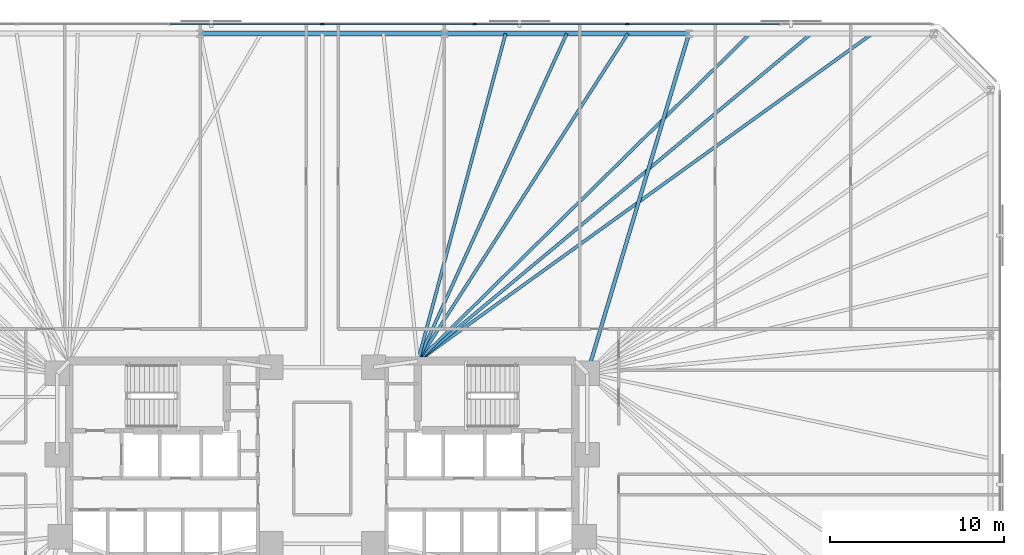
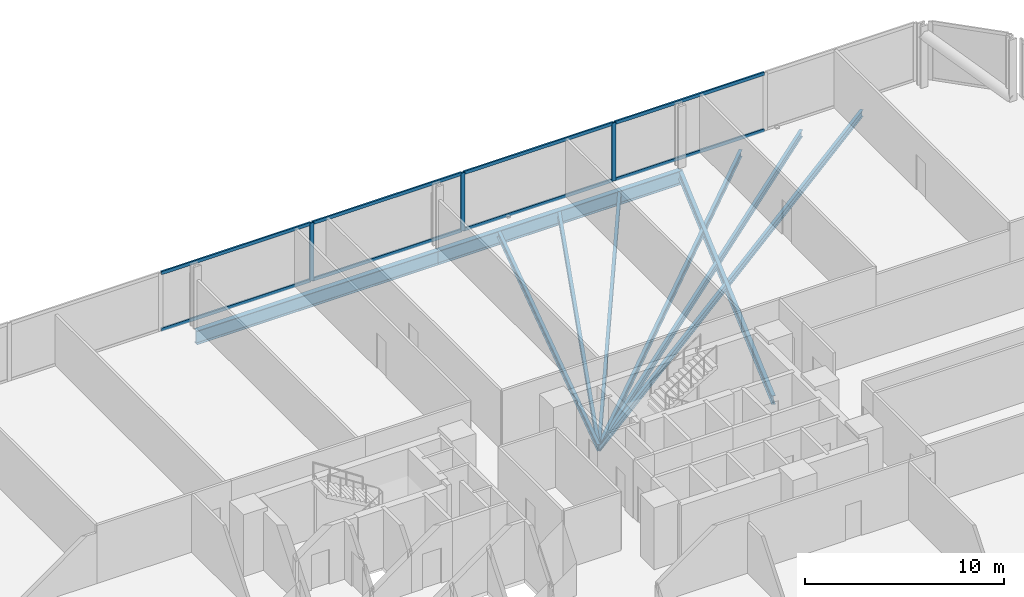
# One storey, part 9 of 17: 11 members, 9 beams, 1 element without a shape of its own.
"""IFC4 building model written with IfcOpenShell, lengths in metres."""

from ifc_helpers import new_model, si_unit, direction, frame, origin, origin_2d, place, context, subcontext, project, spatial, rectangle, i_section, extrude, material, material_profile, profile_set, type_object, element, aggregate, save


model = new_model("IFC4")

# Units and contexts
model_context = context("Model", 3, precision=1e-05, world=origin(), true_north=direction((0.0, 1.0)))
body_context = subcontext(model_context, "Body", "Model", "MODEL_VIEW")
ifc_project = project(units=[si_unit("LENGTHUNIT", "METRE"), si_unit("AREAUNIT", "SQUARE_METRE"), si_unit("VOLUMEUNIT", "CUBIC_METRE"), si_unit("PLANEANGLEUNIT", "RADIAN"), si_unit("MASSUNIT", "GRAM", prefix="KILO")], contexts=[model_context])

# Site, building, storey
site_placement = place(None, origin())
site = spatial("IfcSite", under=ifc_project, at=site_placement, CompositionType="ELEMENT")
building_placement = place(site_placement, origin())
building = spatial("IfcBuilding", under=site, at=building_placement, Name="Menara Jurai Vektor", CompositionType="ELEMENT")
storey_placement = place(building_placement, frame((0.0, 0.0, 37.0)))
storey = spatial("IfcBuildingStorey", under=building, at=storey_placement, Name="L08", CompositionType="ELEMENT", Elevation=37.0)

# Curtain wall, members
ifc_material_1 = material(Name="Anodised Pale Aluminium & Low-E Double Glazing", Category="aluminium")
curtain_wall_type = type_object("IfcCurtainWallType", Name="CW-BLK1", PredefinedType="NOTDEFINED", material=ifc_material_1)
curtain_wall_placement = place(storey_placement, origin())
curtain_wall = element("IfcCurtainWall", 1, at=curtain_wall_placement, inside=storey, type_object=curtain_wall_type, Name="Unitised Curtain Wall L08 F05", PredefinedType="NOTDEFINED")
ifc_material_2 = material(Name="Anodised Pale Aluminium Mullion", Category="aluminium")
ifc_material_profile_1 = material_profile(ifc_material_2, rectangle(XDim=0.094970703125, YDim=0.239990234375, at=origin_2d()), Name="ALU MUL 95x240")
ifc_profile_set_1 = profile_set([ifc_material_profile_1], Name="Anodised Pale Aluminium Mullion")
member_type_1 = type_object("IfcMemberType", Name="CW-BLK1-MUL", PredefinedType="MULLION", material=ifc_profile_set_1)
member_1_placement = place(storey_placement, frame((17.56005859375, 25.0, 0.0), z_axis=(0.0, 0.0, 1.0), x_axis=(0.0, -1.0, 0.0)))
member_1 = element("IfcMember", 2, at=member_1_placement, type_object=member_type_1, Name="CW-01 mullion 3", PredefinedType="MULLION", context=body_context, shape_type="SweptSolid", body=[
    extrude(rectangle(XDim=0.094970703125, YDim=0.239990234375, at=origin_2d()), origin(), (0.0, 0.0, 1.0), 3.574951171875),
])
member_2_placement = place(storey_placement, frame((8.780029296875, 25.0, 0.0), z_axis=(0.0, 0.0, 1.0), x_axis=(0.0, -1.0, 0.0)))
member_2 = element("IfcMember", 3, at=member_2_placement, type_object=member_type_1, Name="CW-01 mullion 4", PredefinedType="MULLION", context=body_context, shape_type="SweptSolid", body=[
    extrude(rectangle(XDim=0.094970703125, YDim=0.239990234375, at=origin_2d()), origin(), (0.0, 0.0, 1.0), 3.574951171875),
])
member_3_placement = place(storey_placement, frame((0.0, 25.0, 0.0), z_axis=(0.0, 0.0, 1.0), x_axis=(0.0, -1.0, 0.0)))
member_3 = element("IfcMember", 4, at=member_3_placement, type_object=member_type_1, Name="CW-01 mullion 5", PredefinedType="MULLION", context=body_context, shape_type="SweptSolid", body=[
    extrude(rectangle(XDim=0.094970703125, YDim=0.239990234375, at=origin_2d()), origin(), (0.0, 0.0, 1.0), 3.574951171875),
])
ifc_material_3 = material(Name="Anodised Pale Aluminium Transom", Category="aluminium")
ifc_material_profile_2 = material_profile(ifc_material_3, rectangle(XDim=0.094970703125, YDim=0.199951171875, at=origin_2d()), Name="ALU TRN 95x200")
ifc_profile_set_2 = profile_set([ifc_material_profile_2], Name="Anodised Pale Aluminium Transom")
member_type_2 = type_object("IfcMemberType", Name="CW-BLK1-TRN", PredefinedType="USERDEFINED", material=ifc_profile_set_2)
member_4_placement = place(storey_placement, frame((26.29248046875, 25.0, 0.047607421875), z_axis=(-1.0, 0.0, 0.0), x_axis=(0.0, -1.0, 0.0)))
member_4 = element("IfcMember", 5, at=member_4_placement, type_object=member_type_2, Name="CW-01 transom 2.1", ObjectType="TRANSOM", PredefinedType="USERDEFINED", context=body_context, shape_type="SweptSolid", body=[
    extrude(rectangle(XDim=0.094970703125, YDim=0.199951171875, at=origin_2d()), origin(), (0.0, 0.0, 1.0), 8.68505859375),
])
member_5_placement = place(storey_placement, frame((26.29248046875, 25.0, 3.527587890625), z_axis=(-1.0, 0.0, 0.0), x_axis=(0.0, -1.0, 0.0)))
member_5 = element("IfcMember", 6, at=member_5_placement, type_object=member_type_2, Name="CW-01 transom 2.2", ObjectType="TRANSOM", PredefinedType="USERDEFINED", context=body_context, shape_type="SweptSolid", body=[
    extrude(rectangle(XDim=0.094970703125, YDim=0.199951171875, at=origin_2d()), origin(), (0.0, 0.0, 1.0), 8.68505859375),
])
member_6_placement = place(storey_placement, frame((17.512451171875, 25.0, 0.047607421875), z_axis=(-1.0, 0.0, 0.0), x_axis=(0.0, -1.0, 0.0)))
member_6 = element("IfcMember", 7, at=member_6_placement, type_object=member_type_2, Name="CW-01 transom 3.1", ObjectType="TRANSOM", PredefinedType="USERDEFINED", context=body_context, shape_type="SweptSolid", body=[
    extrude(rectangle(XDim=0.094970703125, YDim=0.199951171875, at=origin_2d()), origin(), (0.0, 0.0, 1.0), 8.68505859375),
])
member_7_placement = place(storey_placement, frame((17.512451171875, 25.0, 3.527587890625), z_axis=(-1.0, 0.0, 0.0), x_axis=(0.0, -1.0, 0.0)))
member_7 = element("IfcMember", 8, at=member_7_placement, type_object=member_type_2, Name="CW-01 transom 3.2", ObjectType="TRANSOM", PredefinedType="USERDEFINED", context=body_context, shape_type="SweptSolid", body=[
    extrude(rectangle(XDim=0.094970703125, YDim=0.199951171875, at=origin_2d()), origin(), (0.0, 0.0, 1.0), 8.68505859375),
])
member_8_placement = place(storey_placement, frame((8.732421875, 25.0, 0.047607421875), z_axis=(-1.0, 0.0, 0.0), x_axis=(0.0, -1.0, 0.0)))
member_8 = element("IfcMember", 9, at=member_8_placement, type_object=member_type_2, Name="CW-01 transom 4.1", ObjectType="TRANSOM", PredefinedType="USERDEFINED", context=body_context, shape_type="SweptSolid", body=[
    extrude(rectangle(XDim=0.094970703125, YDim=0.199951171875, at=origin_2d()), origin(), (0.0, 0.0, 1.0), 8.684814453125),
])
member_9_placement = place(storey_placement, frame((8.732421875, 25.0, 3.527587890625), z_axis=(-1.0, 0.0, 0.0), x_axis=(0.0, -1.0, 0.0)))
member_9 = element("IfcMember", 10, at=member_9_placement, type_object=member_type_2, Name="CW-01 transom 4.2", ObjectType="TRANSOM", PredefinedType="USERDEFINED", context=body_context, shape_type="SweptSolid", body=[
    extrude(rectangle(XDim=0.094970703125, YDim=0.199951171875, at=origin_2d()), origin(), (0.0, 0.0, 1.0), 8.684814453125),
])
member_10_placement = place(storey_placement, frame((-0.047607421875, 25.0, 0.047607421875), z_axis=(-1.0, 0.0, 0.0), x_axis=(0.0, -1.0, 0.0)))
member_10 = element("IfcMember", 11, at=member_10_placement, type_object=member_type_2, Name="CW-01 transom 5.1", ObjectType="TRANSOM", PredefinedType="USERDEFINED", context=body_context, shape_type="SweptSolid", body=[
    extrude(rectangle(XDim=0.094970703125, YDim=0.199951171875, at=origin_2d()), origin(), (0.0, 0.0, 1.0), 8.684814453125),
])
member_11_placement = place(storey_placement, frame((-0.047607421875, 25.0, 3.527587890625), z_axis=(-1.0, 0.0, 0.0), x_axis=(0.0, -1.0, 0.0)))
member_11 = element("IfcMember", 12, at=member_11_placement, type_object=member_type_2, Name="CW-01 transom 5.2", ObjectType="TRANSOM", PredefinedType="USERDEFINED", context=body_context, shape_type="SweptSolid", body=[
    extrude(rectangle(XDim=0.094970703125, YDim=0.199951171875, at=origin_2d()), origin(), (0.0, 0.0, 1.0), 8.684814453125),
])
aggregate(curtain_wall, [member_1, member_2, member_3, member_4, member_5, member_6, member_7, member_8, member_9, member_10, member_11])

# Beams
ifc_material_4 = material(Name="Steel S355", Category="steel")
ifc_material_profile_3 = material_profile(ifc_material_4, i_section(OverallWidth=0.2109375, OverallDepth=0.5390625, WebThickness=0.011962890625, FlangeThickness=0.01904296875, FilletRadius=0.012939453125, at=origin_2d()), Name="UKB 533x210x109")
ifc_profile_set_3 = profile_set([ifc_material_profile_3], Name="Steel S355")
beam_type_1 = type_object("IfcBeamType", Name="STR-BM-533", PredefinedType="BEAM", material=ifc_profile_set_3)
beam_1_placement = place(storey_placement, frame((21.106689453125, 24.449951171875, -0.494384765625), z_axis=(-0.286973617166, -0.957938486047, 0.0), x_axis=(0.957938486047, -0.286973617166, 0.0)))
element("IfcBeam", 13, at=beam_1_placement, inside=storey, type_object=beam_type_1, Name="Radial Floor Girder L08-N2", PredefinedType="BEAM", context=body_context, shape_type="SweptSolid", body=[
    extrude(i_section(OverallWidth=0.2109375, OverallDepth=0.5390625, WebThickness=0.011962890625, FlangeThickness=0.01904296875, FilletRadius=0.012939453125, at=origin_2d()), origin(), (0.0, 0.0, 1.0), 20.408447265625),
])
ifc_material_profile_4 = material_profile(ifc_material_4, i_section(OverallWidth=0.178955078125, OverallDepth=0.408935546875, WebThickness=0.009033203125, FlangeThickness=0.013916015625, FilletRadius=0.010009765625, at=origin_2d()), Name="UKB 406x178x67")
ifc_profile_set_4 = profile_set([ifc_material_profile_4], Name="Steel S355")
beam_type_2 = type_object("IfcBeamType", Name="STR-JS-406", PredefinedType="JOIST", material=ifc_profile_set_4)
beam_2_placement = place(storey_placement, frame((31.659912109375, 24.449951171875, -0.429443359375), z_axis=(-0.81131785733, -0.584605280833, 0.0), x_axis=(0.584605280833, -0.81131785733, 0.0)))
element("IfcBeam", 14, at=beam_2_placement, inside=storey, type_object=beam_type_2, Name="Radial Secondary Floor Joist L08-JS16", PredefinedType="JOIST", context=body_context, shape_type="SweptSolid", body=[
    extrude(i_section(OverallWidth=0.178955078125, OverallDepth=0.408935546875, WebThickness=0.009033203125, FlangeThickness=0.013916015625, FilletRadius=0.010009765625, at=origin_2d()), origin(), (0.0, 0.0, 1.0), 32.24365234375),
])
beam_3_placement = place(storey_placement, frame((28.142333984375, 24.449951171875, -0.429443359375), z_axis=(-0.76853431665, -0.639808568347, 0.0), x_axis=(0.639808568347, -0.76853431665, 0.0)))
element("IfcBeam", 15, at=beam_3_placement, inside=storey, type_object=beam_type_2, Name="Radial Secondary Floor Joist L08-JS17", PredefinedType="JOIST", context=body_context, shape_type="SweptSolid", body=[
    extrude(i_section(OverallWidth=0.178955078125, OverallDepth=0.408935546875, WebThickness=0.009033203125, FlangeThickness=0.013916015625, FilletRadius=0.010009765625, at=origin_2d()), origin(), (0.0, 0.0, 1.0), 29.461669921875),
])
beam_4_placement = place(storey_placement, frame((24.62451171875, 24.449951171875, -0.429443359375), z_axis=(-0.712202462998, -0.70197411042, 0.0), x_axis=(0.70197411042, -0.712202462998, 0.0)))
element("IfcBeam", 16, at=beam_4_placement, inside=storey, type_object=beam_type_2, Name="Radial Secondary Floor Joist L08-JS18", PredefinedType="JOIST", context=body_context, shape_type="SweptSolid", body=[
    extrude(i_section(OverallWidth=0.178955078125, OverallDepth=0.408935546875, WebThickness=0.009033203125, FlangeThickness=0.013916015625, FilletRadius=0.010009765625, at=origin_2d()), origin(), (0.0, 0.0, 1.0), 26.8525390625),
])
beam_5_placement = place(storey_placement, frame((17.5888671875, 24.449951171875, -0.429443359375), z_axis=(-0.53984422461, -0.841764939372, 0.0), x_axis=(0.841764939372, -0.53984422461, 0.0)))
element("IfcBeam", 17, at=beam_5_placement, inside=storey, type_object=beam_type_2, Name="Radial Secondary Floor Joist L08-JS19", PredefinedType="JOIST", context=body_context, shape_type="SweptSolid", body=[
    extrude(i_section(OverallWidth=0.178955078125, OverallDepth=0.408935546875, WebThickness=0.009033203125, FlangeThickness=0.013916015625, FilletRadius=0.010009765625, at=origin_2d()), origin(), (0.0, 0.0, 1.0), 22.393310546875),
])
beam_6_placement = place(storey_placement, frame((14.071044921875, 24.449951171875, -0.429443359375), z_axis=(-0.413920197297, -0.910313171535, 0.0), x_axis=(0.910313171535, -0.413920197297, 0.0)))
element("IfcBeam", 18, at=beam_6_placement, inside=storey, type_object=beam_type_2, Name="Radial Secondary Floor Joist L08-JS20", PredefinedType="JOIST", context=body_context, shape_type="SweptSolid", body=[
    extrude(i_section(OverallWidth=0.178955078125, OverallDepth=0.408935546875, WebThickness=0.009033203125, FlangeThickness=0.013916015625, FilletRadius=0.010009765625, at=origin_2d()), origin(), (0.0, 0.0, 1.0), 20.70703125),
])
beam_7_placement = place(storey_placement, frame((10.55322265625, 24.449951171875, -0.429443359375), z_axis=(-0.258934723238, -0.965894823002, 0.0), x_axis=(0.965894823002, -0.258934723238, 0.0)))
element("IfcBeam", 19, at=beam_7_placement, inside=storey, type_object=beam_type_2, Name="Radial Secondary Floor Joist L08-JS21", PredefinedType="JOIST", context=body_context, shape_type="SweptSolid", body=[
    extrude(i_section(OverallWidth=0.178955078125, OverallDepth=0.408935546875, WebThickness=0.009033203125, FlangeThickness=0.013916015625, FilletRadius=0.010009765625, at=origin_2d()), origin(), (0.0, 0.0, 1.0), 19.515380859375),
])
ifc_material_5 = material(Name="Steel S460", Category="steel")
ifc_material_profile_5 = material_profile(ifc_material_5, i_section(OverallWidth=0.2939453125, OverallDepth=0.85107421875, WebThickness=0.01611328125, FlangeThickness=0.027099609375, FilletRadius=0.01806640625, at=origin_2d()), Name="UKB 838x292x226")
ifc_profile_set_5 = profile_set([ifc_material_profile_5], Name="Steel S460")
beam_type_3 = type_object("IfcBeamType", Name="STR-SP-838", PredefinedType="SPANDREL", material=ifc_profile_set_5)
beam_8_placement = place(storey_placement, frame((21.106689453125, 24.449951171875, -0.650390625), z_axis=(-1.0, 0.0, 0.0), x_axis=(0.0, -1.0, 0.0)))
element("IfcBeam", 20, at=beam_8_placement, inside=storey, type_object=beam_type_3, Name="Exoskeleton Spandrel Beam L08-12", PredefinedType="SPANDREL", context=body_context, shape_type="SweptSolid", body=[
    extrude(i_section(OverallWidth=0.2939453125, OverallDepth=0.85107421875, WebThickness=0.01611328125, FlangeThickness=0.027099609375, FilletRadius=0.01806640625, at=origin_2d()), origin(), (0.0, 0.0, 1.0), 14.071044921875),
])
beam_9_placement = place(storey_placement, frame((7.03564453125, 24.449951171875, -0.650390625), z_axis=(-1.0, 0.0, 0.0), x_axis=(0.0, -1.0, 0.0)))
element("IfcBeam", 21, at=beam_9_placement, inside=storey, type_object=beam_type_3, Name="Exoskeleton Spandrel Beam L08-13", PredefinedType="SPANDREL", context=body_context, shape_type="SweptSolid", body=[
    extrude(i_section(OverallWidth=0.2939453125, OverallDepth=0.85107421875, WebThickness=0.01611328125, FlangeThickness=0.027099609375, FilletRadius=0.01806640625, at=origin_2d()), origin(), (0.0, 0.0, 1.0), 14.0712890625),
])

save(model, "model.ifc")
